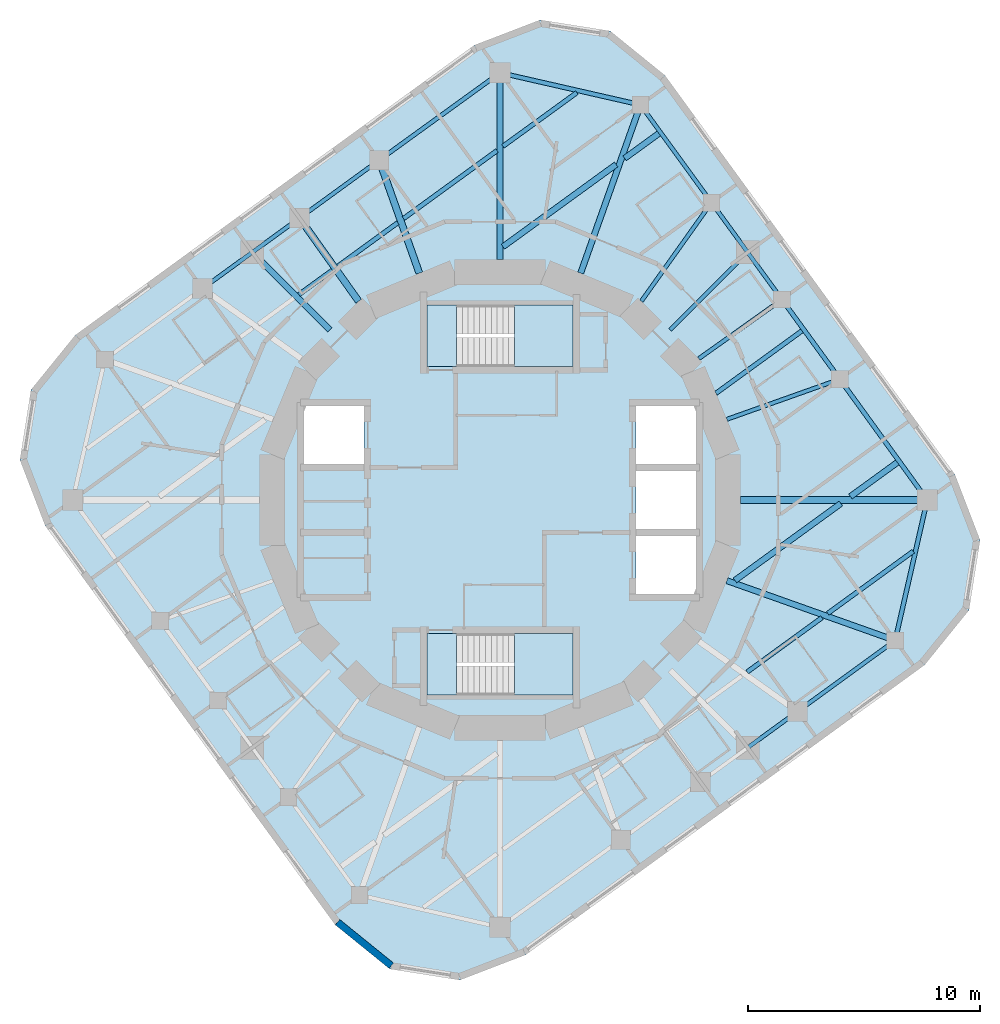
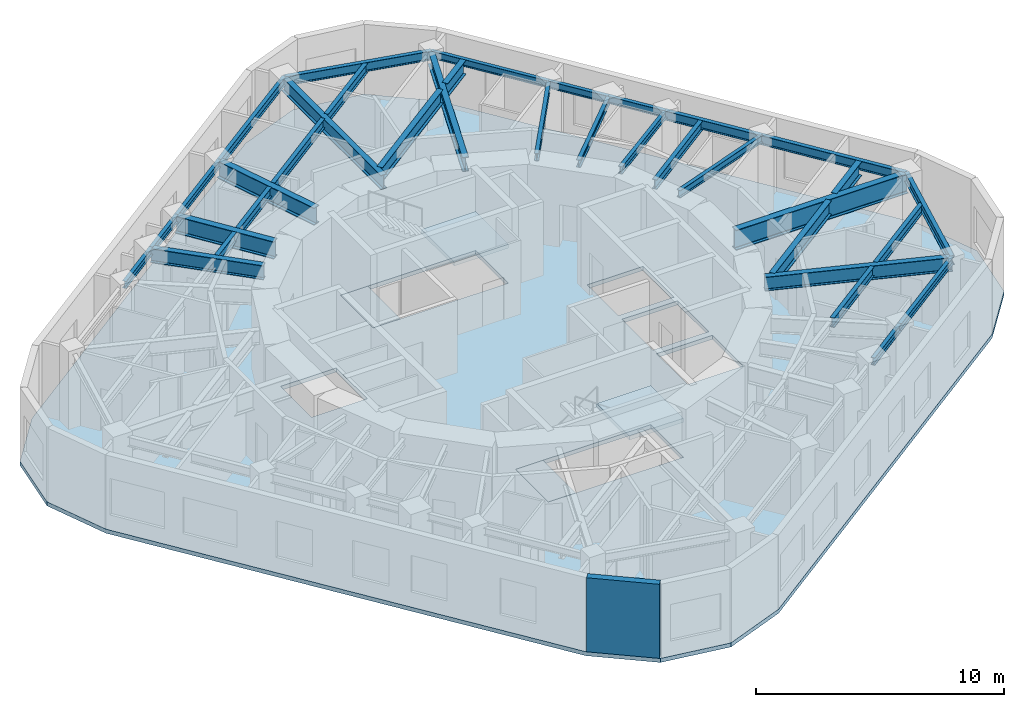
# One storey, part 2 of 9: 35 beams, 5 slabs, 1 wall, 2 elements without a shape of their own.
"""IFC4 building model written with IfcOpenShell, lengths in metres."""

from ifc_helpers import new_model, si_unit, direction, frame, frame_2d, origin, origin_2d, place, context, subcontext, project, spatial, polyline, rectangle, i_section, outline, extrude, material, layer, layer_set, material_profile, profile_set, type_object, element, aggregate, save


model = new_model("IFC4")

# Units and contexts
model_context = context("Model", 3, precision=1e-05, world=origin(), true_north=direction((0.0, 1.0)))
body_context = subcontext(model_context, "Body", "Model", "MODEL_VIEW")
ifc_project = project(units=[si_unit("LENGTHUNIT", "METRE"), si_unit("AREAUNIT", "SQUARE_METRE"), si_unit("VOLUMEUNIT", "CUBIC_METRE"), si_unit("PLANEANGLEUNIT", "RADIAN"), si_unit("MASSUNIT", "GRAM", prefix="KILO")], contexts=[model_context])

# Site, building, storey
site_placement = place(None, origin())
site = spatial("IfcSite", under=ifc_project, at=site_placement, CompositionType="ELEMENT")
building_placement = place(site_placement, origin())
building = spatial("IfcBuilding", under=site, at=building_placement, Name="Nakasero Lantern House", CompositionType="ELEMENT")
storey_placement = place(building_placement, frame((0.0, 0.0, 275.300048828125)))
storey = spatial("IfcBuildingStorey", under=building, at=storey_placement, Name="L67", CompositionType="ELEMENT", Elevation=275.300048828125)

# Beams
ifc_material_1 = material(Name="Steel S355", Category="steel")
ifc_material_profile_1 = material_profile(ifc_material_1, i_section(OverallWidth=0.19140625, OverallDepth=0.4599609375, WebThickness=0.010009765625, FlangeThickness=0.01611328125, FilletRadius=0.01025390625, at=origin_2d()), Name="UB 457x191x82")
ifc_profile_set_1 = profile_set([ifc_material_profile_1], Name="Steel S355")
beam_type_1 = type_object("IfcBeamType", Name="Infill beam UB 457x191x82", PredefinedType="JOIST", material=ifc_profile_set_1)
beam_1_placement = place(storey_placement, frame((10.646240234375, -7.406982421875, 3.419921875), z_axis=(0.809006350712, 0.587799901759, 0.0), x_axis=(-0.587799901759, 0.809006350712, 0.0)))
element("IfcBeam", 1, at=beam_1_placement, inside=storey, type_object=beam_type_1, Name="Infill beam L68 03.6", PredefinedType="JOIST", context=body_context, shape_type="SweptSolid", body=[
    extrude(i_section(OverallWidth=0.19140625, OverallDepth=0.4599609375, WebThickness=0.010009765625, FlangeThickness=0.01611328125, FilletRadius=0.01025390625, at=origin_2d()), origin(), (0.0, 0.0, 1.0), 3.983154296875),
])
beam_2_placement = place(storey_placement, frame((14.117431640625, -4.885009765625, 3.419921875), z_axis=(0.80901210161, 0.587791986546, 0.0), x_axis=(-0.587791986546, 0.80901210161, 0.0)))
element("IfcBeam", 2, at=beam_2_placement, inside=storey, type_object=beam_type_1, Name="Infill beam L68 03.7", PredefinedType="JOIST", context=body_context, shape_type="SweptSolid", body=[
    extrude(i_section(OverallWidth=0.19140625, OverallDepth=0.4599609375, WebThickness=0.010009765625, FlangeThickness=0.01611328125, FilletRadius=0.01025390625, at=origin_2d()), origin(), (0.0, 0.0, 1.0), 4.55029296875),
])
beam_3_placement = place(storey_placement, frame((9.306396484375, 4.598388671875, 3.419921875), z_axis=(0.809017640959, 0.587784362344, 0.0), x_axis=(-0.587784362344, 0.809017640959, 0.0)))
element("IfcBeam", 3, at=beam_3_placement, inside=storey, type_object=beam_type_1, Name="Infill beam L68 06.1", PredefinedType="JOIST", context=body_context, shape_type="SweptSolid", body=[
    extrude(i_section(OverallWidth=0.19140625, OverallDepth=0.4599609375, WebThickness=0.010009765625, FlangeThickness=0.01611328125, FilletRadius=0.01025390625, at=origin_2d()), origin(), (0.0, 0.0, 1.0), 4.572998046875),
])
beam_4_placement = place(storey_placement, frame((-8.665283203125, 8.84619140625, 3.419921875), z_axis=(0.809060510352, 0.587725353025, 0.0), x_axis=(-0.587725353025, 0.809060510352, 0.0)))
element("IfcBeam", 4, at=beam_4_placement, inside=storey, type_object=beam_type_1, Name="Infill beam L68 10.4", PredefinedType="JOIST", context=body_context, shape_type="SweptSolid", body=[
    extrude(i_section(OverallWidth=0.19140625, OverallDepth=0.4599609375, WebThickness=0.010009765625, FlangeThickness=0.01611328125, FilletRadius=0.01025390625, at=origin_2d()), origin(), (0.0, 0.0, 1.0), 1.7890625),
])
beam_5_placement = place(storey_placement, frame((-6.981201171875, 10.069580078125, 3.419921875), z_axis=(0.809014147131, 0.587789171167, 0.0), x_axis=(-0.587789171167, 0.809014147131, 0.0)))
element("IfcBeam", 5, at=beam_5_placement, inside=storey, type_object=beam_type_1, Name="Infill beam L68 10.5", PredefinedType="JOIST", context=body_context, shape_type="SweptSolid", body=[
    extrude(i_section(OverallWidth=0.19140625, OverallDepth=0.4599609375, WebThickness=0.010009765625, FlangeThickness=0.01611328125, FilletRadius=0.01025390625, at=origin_2d()), origin(), (0.0, 0.0, 1.0), 3.188232421875),
])
beam_6_placement = place(storey_placement, frame((-4.1552734375, 12.122802734375, 3.419921875), z_axis=(0.809018056479, 0.587783790428, 0.0), x_axis=(-0.587783790428, 0.809018056479, 0.0)))
element("IfcBeam", 6, at=beam_6_placement, inside=storey, type_object=beam_type_1, Name="Infill beam L68 10.6", PredefinedType="JOIST", context=body_context, shape_type="SweptSolid", body=[
    extrude(i_section(OverallWidth=0.19140625, OverallDepth=0.4599609375, WebThickness=0.010009765625, FlangeThickness=0.01611328125, FilletRadius=0.01025390625, at=origin_2d()), origin(), (0.0, 0.0, 1.0), 4.97802734375),
])
beam_7_placement = place(storey_placement, frame((0.1279296875, 15.23486328125, 3.419921875), z_axis=(0.809028442836, 0.587769494515, 0.0), x_axis=(-0.587769494515, 0.809028442836, 0.0)))
element("IfcBeam", 7, at=beam_7_placement, inside=storey, type_object=beam_type_1, Name="Infill beam L68 10.7", PredefinedType="JOIST", context=body_context, shape_type="SweptSolid", body=[
    extrude(i_section(OverallWidth=0.19140625, OverallDepth=0.4599609375, WebThickness=0.010009765625, FlangeThickness=0.01611328125, FilletRadius=0.01025390625, at=origin_2d()), origin(), (0.0, 0.0, 1.0), 3.934814453125),
])
ifc_material_2 = material(Name="Steel S355", Category="steel")
ifc_material_profile_2 = material_profile(ifc_material_2, i_section(OverallWidth=0.255859375, OverallDepth=0.69287109375, WebThickness=0.014404296875, FlangeThickness=0.023681640625, FilletRadius=0.01513671875, at=origin_2d()), Name="UB 686x254x170")
ifc_profile_set_2 = profile_set([ifc_material_profile_2], Name="Steel S355")
beam_type_2 = type_object("IfcBeamType", Name="Infill beam UB 686x254x170", PredefinedType="JOIST", material=ifc_profile_set_2)
beam_8_placement = place(storey_placement, frame((10.119384765625, -3.46337890625, 3.303466796875), z_axis=(0.809013172462, 0.587790512669, 0.0), x_axis=(-0.587790512669, 0.809013172462, 0.0)))
element("IfcBeam", 8, at=beam_8_placement, inside=storey, type_object=beam_type_2, Name="Infill beam L68 04.3", PredefinedType="JOIST", context=body_context, shape_type="SweptSolid", body=[
    extrude(i_section(OverallWidth=0.255859375, OverallDepth=0.69287109375, WebThickness=0.014404296875, FlangeThickness=0.023681640625, FilletRadius=0.01513671875, at=origin_2d()), origin(), (0.0, 0.0, 1.0), 5.63720703125),
])
beam_9_placement = place(storey_placement, frame((15.0927734375, 0.14990234375, 3.303466796875), z_axis=(0.809015124384, 0.587787826106, 0.0), x_axis=(-0.587787826106, 0.809015124384, 0.0)))
element("IfcBeam", 9, at=beam_9_placement, inside=storey, type_object=beam_type_2, Name="Infill beam L68 04.4", PredefinedType="JOIST", context=body_context, shape_type="SweptSolid", body=[
    extrude(i_section(OverallWidth=0.255859375, OverallDepth=0.69287109375, WebThickness=0.014404296875, FlangeThickness=0.023681640625, FilletRadius=0.01513671875, at=origin_2d()), origin(), (0.0, 0.0, 1.0), 2.496337890625),
])
beam_10_placement = place(storey_placement, frame((0.1279296875, 10.908447265625, 3.303466796875), z_axis=(0.809011117524, 0.587793340998, 0.0), x_axis=(-0.587793340998, 0.809011117524, 0.0)))
element("IfcBeam", 10, at=beam_10_placement, inside=storey, type_object=beam_type_2, Name="Infill beam L68 09.3", PredefinedType="JOIST", context=body_context, shape_type="SweptSolid", body=[
    extrude(i_section(OverallWidth=0.255859375, OverallDepth=0.69287109375, WebThickness=0.014404296875, FlangeThickness=0.023681640625, FilletRadius=0.01513671875, at=origin_2d()), origin(), (0.0, 0.0, 1.0), 6.024658203125),
])
beam_11_placement = place(storey_placement, frame((5.367919921875, 14.715576171875, 3.303466796875), z_axis=(0.809025740158, 0.587773214566, 0.0), x_axis=(-0.587773214566, 0.809025740158, 0.0)))
element("IfcBeam", 11, at=beam_11_placement, inside=storey, type_object=beam_type_2, Name="Infill beam L68 09.4", PredefinedType="JOIST", context=body_context, shape_type="SweptSolid", body=[
    extrude(i_section(OverallWidth=0.255859375, OverallDepth=0.69287109375, WebThickness=0.014404296875, FlangeThickness=0.023681640625, FilletRadius=0.01513671875, at=origin_2d()), origin(), (0.0, 0.0, 1.0), 1.82177734375),
])
ifc_material_3 = material(Name="Steel S355", Category="steel")
ifc_material_profile_3 = material_profile(ifc_material_3, i_section(OverallWidth=0.300048828125, OverallDepth=0.97998046875, WebThickness=0.0166015625, FlangeThickness=0.02587890625, FilletRadius=0.030029296875, at=origin_2d()), Name="UB 1016x305x249")
ifc_profile_set_3 = profile_set([ifc_material_profile_3], Name="Steel S355")
beam_type_3 = type_object("IfcBeamType", Name="Primary beam UB 1016x305x249, span 6 to 9 m", PredefinedType="BEAM", material=ifc_profile_set_3)
beam_12_placement = place(storey_placement, frame((18.39990234375, 0.0, 3.159912109375), z_axis=(-1.0, 0.0, 0.0), x_axis=(0.0, -1.0, 0.0)))
element("IfcBeam", 12, at=beam_12_placement, inside=storey, type_object=beam_type_3, Name="Primary beam L68 B7-C03", PredefinedType="BEAM", context=body_context, shape_type="SweptSolid", body=[
    extrude(i_section(OverallWidth=0.300048828125, OverallDepth=0.97998046875, WebThickness=0.0166015625, FlangeThickness=0.02587890625, FilletRadius=0.030029296875, at=origin_2d()), origin(), (0.0, 0.0, 1.0), 8.0419921875),
])
ifc_material_4 = material(Name="Steel S355", Category="steel")
ifc_material_profile_4 = material_profile(ifc_material_4, i_section(OverallWidth=0.17138671875, OverallDepth=0.35498046875, WebThickness=0.00732421875, FlangeThickness=0.011474609375, FilletRadius=0.01025390625, at=origin_2d()), Name="UB 356x171x51")
ifc_profile_set_4 = profile_set([ifc_material_profile_4], Name="Steel S355")
beam_type_4 = type_object("IfcBeamType", Name="Primary beam UB 356x171x51, span to 6 m", PredefinedType="BEAM", material=ifc_profile_set_4)
beam_13_placement = place(storey_placement, frame((14.636474609375, 5.2041015625, 3.472412109375), z_axis=(-0.942221324153, -0.3349910093, 0.0), x_axis=(0.3349910093, -0.942221324153, 0.0)))
element("IfcBeam", 13, at=beam_13_placement, inside=storey, type_object=beam_type_4, Name="Primary beam L68 B7-C04", PredefinedType="BEAM", context=body_context, shape_type="SweptSolid", body=[
    extrude(i_section(OverallWidth=0.17138671875, OverallDepth=0.35498046875, WebThickness=0.00732421875, FlangeThickness=0.011474609375, FilletRadius=0.01025390625, at=origin_2d()), origin(), (0.0, 0.0, 1.0), 5.162841796875),
])
beam_14_placement = place(storey_placement, frame((12.1435546875, 8.63525390625, 3.472412109375), z_axis=(-0.814988544116, -0.579477068537, 0.0), x_axis=(0.579477068537, -0.814988544116, 0.0)))
element("IfcBeam", 14, at=beam_14_placement, inside=storey, type_object=beam_type_4, Name="Primary beam L68 B7-C05", PredefinedType="BEAM", context=body_context, shape_type="SweptSolid", body=[
    extrude(i_section(OverallWidth=0.17138671875, OverallDepth=0.35498046875, WebThickness=0.00732421875, FlangeThickness=0.011474609375, FilletRadius=0.01025390625, at=origin_2d()), origin(), (0.0, 0.0, 1.0), 4.396484375),
])
beam_15_placement = place(storey_placement, frame((10.667236328125, 10.667236328125, 3.472412109375), z_axis=(-0.707106781187, -0.707106781187, 0.0), x_axis=(0.707106781187, -0.707106781187, 0.0)))
element("IfcBeam", 15, at=beam_15_placement, inside=storey, type_object=beam_type_4, Name="Primary beam L68 B7-C06", PredefinedType="BEAM", context=body_context, shape_type="SweptSolid", body=[
    extrude(i_section(OverallWidth=0.17138671875, OverallDepth=0.35498046875, WebThickness=0.00732421875, FlangeThickness=0.011474609375, FilletRadius=0.01025390625, at=origin_2d()), origin(), (0.0, 0.0, 1.0), 4.727783203125),
])
beam_16_placement = place(storey_placement, frame((9.10986328125, 12.810791015625, 3.472412109375), z_axis=(-0.579500985986, -0.814971537688, 0.0), x_axis=(0.814971537688, -0.579500985986, 0.0)))
element("IfcBeam", 16, at=beam_16_placement, inside=storey, type_object=beam_type_4, Name="Primary beam L68 B7-C07", PredefinedType="BEAM", context=body_context, shape_type="SweptSolid", body=[
    extrude(i_section(OverallWidth=0.17138671875, OverallDepth=0.35498046875, WebThickness=0.00732421875, FlangeThickness=0.011474609375, FilletRadius=0.01025390625, at=origin_2d()), origin(), (0.0, 0.0, 1.0), 5.215087890625),
])
ifc_material_5 = material(Name="Steel S355", Category="steel")
ifc_material_profile_5 = material_profile(ifc_material_5, i_section(OverallWidth=0.253662109375, OverallDepth=0.68359375, WebThickness=0.012451171875, FlangeThickness=0.01904296875, FilletRadius=0.01513671875, at=origin_2d()), Name="UB 686x254x140")
ifc_profile_set_5 = profile_set([ifc_material_profile_5], Name="Steel S355")
beam_type_5 = type_object("IfcBeamType", Name="Primary beam UB 686x254x140, span 6 to 9 m", PredefinedType="BEAM", material=ifc_profile_set_5)
beam_17_placement = place(storey_placement, frame((17.02001953125, -6.051513671875, 3.30810546875), z_axis=(-0.942222036561, 0.334989005521, 0.0), x_axis=(-0.334989005521, -0.942222036561, 0.0)))
element("IfcBeam", 17, at=beam_17_placement, inside=storey, type_object=beam_type_5, Name="Primary beam L68 B7-C02", PredefinedType="BEAM", context=body_context, shape_type="SweptSolid", body=[
    extrude(i_section(OverallWidth=0.253662109375, OverallDepth=0.68359375, WebThickness=0.012451171875, FlangeThickness=0.01904296875, FilletRadius=0.01513671875, at=origin_2d()), origin(), (0.0, 0.0, 1.0), 7.6923828125),
])
ifc_material_6 = material(Name="Steel S355", Category="steel")
ifc_material_profile_6 = material_profile(ifc_material_6, i_section(OverallWidth=0.255859375, OverallDepth=0.69287109375, WebThickness=0.014404296875, FlangeThickness=0.023681640625, FilletRadius=0.01513671875, at=origin_2d()), Name="UB 686x254x170")
ifc_profile_set_6 = profile_set([ifc_material_profile_6], Name="Steel S355")
beam_type_6 = type_object("IfcBeamType", Name="Primary beam UB 686x254x170, span 6 to 9 m", PredefinedType="BEAM", material=ifc_profile_set_6)
beam_18_placement = place(storey_placement, frame((6.051513671875, 17.02001953125, 3.303466796875), z_axis=(-0.334989005521, -0.942222036561, 0.0), x_axis=(0.942222036561, -0.334989005521, 0.0)))
element("IfcBeam", 18, at=beam_18_placement, inside=storey, type_object=beam_type_6, Name="Primary beam L68 B7-C08", PredefinedType="BEAM", context=body_context, shape_type="SweptSolid", body=[
    extrude(i_section(OverallWidth=0.255859375, OverallDepth=0.69287109375, WebThickness=0.014404296875, FlangeThickness=0.023681640625, FilletRadius=0.01513671875, at=origin_2d()), origin(), (0.0, 0.0, 1.0), 7.6923828125),
])
beam_19_placement = place(storey_placement, frame((0.0, 18.39990234375, 3.303466796875), z_axis=(0.0, -1.0, 0.0), x_axis=(1.0, 0.0, 0.0)))
element("IfcBeam", 19, at=beam_19_placement, inside=storey, type_object=beam_type_6, Name="Primary beam L68 B7-C09", PredefinedType="BEAM", context=body_context, shape_type="SweptSolid", body=[
    extrude(i_section(OverallWidth=0.255859375, OverallDepth=0.69287109375, WebThickness=0.014404296875, FlangeThickness=0.023681640625, FilletRadius=0.01513671875, at=origin_2d()), origin(), (0.0, 0.0, 1.0), 8.0419921875),
])
ifc_material_7 = material(Name="Steel S355", Category="steel")
ifc_material_profile_7 = material_profile(ifc_material_7, i_section(OverallWidth=0.255859375, OverallDepth=0.69287109375, WebThickness=0.014404296875, FlangeThickness=0.023681640625, FilletRadius=0.01513671875, at=origin_2d()), Name="UB 686x254x170")
ifc_profile_set_7 = profile_set([ifc_material_profile_7], Name="Steel S355")
beam_type_7 = type_object("IfcBeamType", Name="Primary beam UB 686x254x170, span to 6 m", PredefinedType="BEAM", material=ifc_profile_set_7)
beam_20_placement = place(storey_placement, frame((-10.667236328125, 10.667236328125, 3.303466796875), z_axis=(0.707106781187, -0.707106781187, 0.0), x_axis=(0.707106781187, 0.707106781187, 0.0)))
element("IfcBeam", 20, at=beam_20_placement, inside=storey, type_object=beam_type_7, Name="Primary beam L68 B7-C12", PredefinedType="BEAM", context=body_context, shape_type="SweptSolid", body=[
    extrude(i_section(OverallWidth=0.255859375, OverallDepth=0.69287109375, WebThickness=0.014404296875, FlangeThickness=0.023681640625, FilletRadius=0.01513671875, at=origin_2d()), origin(), (0.0, 0.0, 1.0), 4.727783203125),
])
ifc_material_8 = material(Name="Steel S355", Category="steel")
ifc_material_profile_8 = material_profile(ifc_material_8, i_section(OverallWidth=0.29248046875, OverallDepth=0.8408203125, WebThickness=0.0146484375, FlangeThickness=0.02685546875, FilletRadius=0.017822265625, at=origin_2d()), Name="UB 838x292x194")
ifc_profile_set_8 = profile_set([ifc_material_profile_8], Name="Steel S355")
beam_type_8 = type_object("IfcBeamType", Name="Primary beam UB 838x292x194, span to 6 m", PredefinedType="BEAM", material=ifc_profile_set_8)
beam_21_placement = place(storey_placement, frame((-5.2041015625, 14.636474609375, 3.2294921875), z_axis=(0.3349910093, -0.942221324153, 0.0), x_axis=(0.942221324153, 0.3349910093, 0.0)))
element("IfcBeam", 21, at=beam_21_placement, inside=storey, type_object=beam_type_8, Name="Primary beam L68 B7-C10", PredefinedType="BEAM", context=body_context, shape_type="SweptSolid", body=[
    extrude(i_section(OverallWidth=0.29248046875, OverallDepth=0.8408203125, WebThickness=0.0146484375, FlangeThickness=0.02685546875, FilletRadius=0.017822265625, at=origin_2d()), origin(), (0.0, 0.0, 1.0), 5.162841796875),
])
beam_22_placement = place(storey_placement, frame((-8.63525390625, 12.1435546875, 3.2294921875), z_axis=(0.579477068537, -0.814988544116, 0.0), x_axis=(0.814988544116, 0.579477068537, 0.0)))
element("IfcBeam", 22, at=beam_22_placement, inside=storey, type_object=beam_type_8, Name="Primary beam L68 B7-C11", PredefinedType="BEAM", context=body_context, shape_type="SweptSolid", body=[
    extrude(i_section(OverallWidth=0.29248046875, OverallDepth=0.8408203125, WebThickness=0.0146484375, FlangeThickness=0.02685546875, FilletRadius=0.017822265625, at=origin_2d()), origin(), (0.0, 0.0, 1.0), 4.396484375),
])
ifc_material_9 = material(Name="Steel S355", Category="steel")
ifc_material_profile_9 = material_profile(ifc_material_9, i_section(OverallWidth=0.17138671875, OverallDepth=0.35498046875, WebThickness=0.00732421875, FlangeThickness=0.011474609375, FilletRadius=0.01025390625, at=origin_2d()), Name="UB 356x171x51")
ifc_profile_set_9 = profile_set([ifc_material_profile_9], Name="Steel S355")
beam_type_9 = type_object("IfcBeamType", Name="Ring beam UB 356x171x51", PredefinedType="BEAM", material=ifc_profile_set_9)
beam_23_placement = place(storey_placement, frame((12.810791015625, -9.10986328125, 3.472412109375), z_axis=(0.809001814948, 0.587806144414, 0.0), x_axis=(-0.587806144414, 0.809001814948, 0.0)))
element("IfcBeam", 23, at=beam_23_placement, inside=storey, type_object=beam_type_9, Name="Ring beam L68 B7-C01", PredefinedType="BEAM", context=body_context, shape_type="SweptSolid", body=[
    extrude(i_section(OverallWidth=0.17138671875, OverallDepth=0.35498046875, WebThickness=0.00732421875, FlangeThickness=0.011474609375, FilletRadius=0.01025390625, at=origin_2d()), origin(), (0.0, 0.0, 1.0), 5.202880859375),
])
beam_24_placement = place(storey_placement, frame((12.1435546875, 8.63525390625, 3.472412109375), z_axis=(-0.58778439593, 0.809017616558, 0.0), x_axis=(-0.809017616558, -0.58778439593, 0.0)))
element("IfcBeam", 24, at=beam_24_placement, inside=storey, type_object=beam_type_9, Name="Ring beam L68 B7-C05", PredefinedType="BEAM", context=body_context, shape_type="SweptSolid", body=[
    extrude(i_section(OverallWidth=0.17138671875, OverallDepth=0.35498046875, WebThickness=0.00732421875, FlangeThickness=0.011474609375, FilletRadius=0.01025390625, at=origin_2d()), origin(), (0.0, 0.0, 1.0), 2.51171875),
])
beam_25_placement = place(storey_placement, frame((10.667236328125, 10.667236328125, 3.472412109375), z_axis=(-0.587782635143, 0.809018895839, 0.0), x_axis=(-0.809018895839, -0.587782635143, 0.0)))
element("IfcBeam", 25, at=beam_25_placement, inside=storey, type_object=beam_type_9, Name="Ring beam L68 B7-C06", PredefinedType="BEAM", context=body_context, shape_type="SweptSolid", body=[
    extrude(i_section(OverallWidth=0.17138671875, OverallDepth=0.35498046875, WebThickness=0.00732421875, FlangeThickness=0.011474609375, FilletRadius=0.01025390625, at=origin_2d()), origin(), (0.0, 0.0, 1.0), 2.649658203125),
])
beam_26_placement = place(storey_placement, frame((9.10986328125, 12.810791015625, 3.472412109375), z_axis=(-0.587806144414, 0.809001814948, 0.0), x_axis=(-0.809001814948, -0.587806144414, 0.0)))
element("IfcBeam", 26, at=beam_26_placement, inside=storey, type_object=beam_type_9, Name="Ring beam L68 B7-C07", PredefinedType="BEAM", context=body_context, shape_type="SweptSolid", body=[
    extrude(i_section(OverallWidth=0.17138671875, OverallDepth=0.35498046875, WebThickness=0.00732421875, FlangeThickness=0.011474609375, FilletRadius=0.01025390625, at=origin_2d()), origin(), (0.0, 0.0, 1.0), 5.202880859375),
])
beam_27_placement = place(storey_placement, frame((-5.2041015625, 14.636474609375, 3.472412109375), z_axis=(-0.809012304944, -0.587791706687, 0.0), x_axis=(0.587791706687, -0.809012304944, 0.0)))
element("IfcBeam", 27, at=beam_27_placement, inside=storey, type_object=beam_type_9, Name="Ring beam L68 B7-C10", PredefinedType="BEAM", context=body_context, shape_type="SweptSolid", body=[
    extrude(i_section(OverallWidth=0.17138671875, OverallDepth=0.35498046875, WebThickness=0.00732421875, FlangeThickness=0.011474609375, FilletRadius=0.01025390625, at=origin_2d()), origin(), (0.0, 0.0, 1.0), 4.2412109375),
])
beam_28_placement = place(storey_placement, frame((-8.63525390625, 12.1435546875, 3.472412109375), z_axis=(-0.809017616558, -0.58778439593, 0.0), x_axis=(0.58778439593, -0.809017616558, 0.0)))
element("IfcBeam", 28, at=beam_28_placement, inside=storey, type_object=beam_type_9, Name="Ring beam L68 B7-C11", PredefinedType="BEAM", context=body_context, shape_type="SweptSolid", body=[
    extrude(i_section(OverallWidth=0.17138671875, OverallDepth=0.35498046875, WebThickness=0.00732421875, FlangeThickness=0.011474609375, FilletRadius=0.01025390625, at=origin_2d()), origin(), (0.0, 0.0, 1.0), 2.51171875),
])
for number, where, z_axis, x_axis, name in (
    (29, (-10.667236328125, 10.667236328125, 3.472412109375), (-0.809018895839, -0.587782635143, 0.0), (0.587782635143, -0.809018895839, 0.0), "Ring beam L68 B7-C12"),
    (30, (10.667236328125, -10.667236328125, 3.472412109375), (0.809018895839, 0.587782635143, 0.0), (-0.587782635143, 0.809018895839, 0.0), "Ring beam L68 B7-C24"),
):
    element("IfcBeam", number, at=place(storey_placement, frame(where, z_axis=z_axis, x_axis=x_axis)), inside=storey, type_object=beam_type_9, Name=name, PredefinedType="BEAM", context=body_context, shape_type="SweptSolid", body=[
        extrude(i_section(OverallWidth=0.17138671875, OverallDepth=0.35498046875, WebThickness=0.00732421875, FlangeThickness=0.011474609375, FilletRadius=0.01025390625, at=origin_2d()), origin(), (0.0, 0.0, 1.0), 2.649658203125),
    ])
ifc_material_10 = material(Name="Steel S355", Category="steel")
ifc_material_profile_10 = material_profile(ifc_material_10, i_section(OverallWidth=0.177978515625, OverallDepth=0.406494140625, WebThickness=0.0078125, FlangeThickness=0.0126953125, FilletRadius=0.01025390625, at=origin_2d()), Name="UB 406x178x60")
ifc_profile_set_10 = profile_set([ifc_material_profile_10], Name="Steel S355")
beam_type_10 = type_object("IfcBeamType", Name="Ring beam UB 406x178x60", PredefinedType="BEAM", material=ifc_profile_set_10)
beam_29_placement = place(storey_placement, frame((0.0, 18.39990234375, 3.44677734375), z_axis=(-0.810316200404, -0.58599287996, 0.0), x_axis=(0.58599287996, -0.810316200404, 0.0)))
element("IfcBeam", 31, at=beam_29_placement, inside=storey, type_object=beam_type_10, Name="Ring beam L68 B7-C09", PredefinedType="BEAM", context=body_context, shape_type="SweptSolid", body=[
    extrude(i_section(OverallWidth=0.177978515625, OverallDepth=0.406494140625, WebThickness=0.0078125, FlangeThickness=0.0126953125, FilletRadius=0.01025390625, at=origin_2d()), origin(), (0.0, 0.0, 1.0), 6.42236328125),
])
ifc_material_11 = material(Name="Steel S355", Category="steel")
ifc_material_profile_11 = material_profile(ifc_material_11, i_section(OverallWidth=0.18994140625, OverallDepth=0.453369140625, WebThickness=0.008544921875, FlangeThickness=0.0126953125, FilletRadius=0.01025390625, at=origin_2d()), Name="UB 457x191x67")
ifc_profile_set_11 = profile_set([ifc_material_profile_11], Name="Steel S355")
beam_type_11 = type_object("IfcBeamType", Name="Ring beam UB 457x191x67", PredefinedType="BEAM", material=ifc_profile_set_11)
beam_30_placement = place(storey_placement, frame((17.02001953125, -6.051513671875, 3.42333984375), z_axis=(0.222316387753, 0.974974575944, 0.0), x_axis=(-0.974974575944, 0.222316387753, 0.0)))
element("IfcBeam", 32, at=beam_30_placement, inside=storey, type_object=beam_type_11, Name="Ring beam L68 B7-C02", PredefinedType="BEAM", context=body_context, shape_type="SweptSolid", body=[
    extrude(i_section(OverallWidth=0.18994140625, OverallDepth=0.453369140625, WebThickness=0.008544921875, FlangeThickness=0.0126953125, FilletRadius=0.01025390625, at=origin_2d()), origin(), (0.0, 0.0, 1.0), 6.206787109375),
])
beam_31_placement = place(storey_placement, frame((14.636474609375, 5.2041015625, 3.42333984375), z_axis=(-0.587791706687, 0.809012304944, 0.0), x_axis=(-0.809012304944, -0.587791706687, 0.0)))
element("IfcBeam", 33, at=beam_31_placement, inside=storey, type_object=beam_type_11, Name="Ring beam L68 B7-C04", PredefinedType="BEAM", context=body_context, shape_type="SweptSolid", body=[
    extrude(i_section(OverallWidth=0.18994140625, OverallDepth=0.453369140625, WebThickness=0.008544921875, FlangeThickness=0.0126953125, FilletRadius=0.01025390625, at=origin_2d()), origin(), (0.0, 0.0, 1.0), 4.2412109375),
])
beam_32_placement = place(storey_placement, frame((6.051513671875, 17.02001953125, 3.42333984375), z_axis=(-0.974974575944, 0.222316387753, 0.0), x_axis=(-0.222316387753, -0.974974575944, 0.0)))
element("IfcBeam", 34, at=beam_32_placement, inside=storey, type_object=beam_type_11, Name="Ring beam L68 B7-C08", PredefinedType="BEAM", context=body_context, shape_type="SweptSolid", body=[
    extrude(i_section(OverallWidth=0.18994140625, OverallDepth=0.453369140625, WebThickness=0.008544921875, FlangeThickness=0.0126953125, FilletRadius=0.01025390625, at=origin_2d()), origin(), (0.0, 0.0, 1.0), 6.206787109375),
])
ifc_material_12 = material(Name="Steel S355", Category="steel")
ifc_material_profile_12 = material_profile(ifc_material_12, i_section(OverallWidth=0.19140625, OverallDepth=0.4599609375, WebThickness=0.010009765625, FlangeThickness=0.01611328125, FilletRadius=0.01025390625, at=origin_2d()), Name="UB 457x191x82")
ifc_profile_set_12 = profile_set([ifc_material_profile_12], Name="Steel S355")
beam_type_12 = type_object("IfcBeamType", Name="Ring beam UB 457x191x82", PredefinedType="BEAM", material=ifc_profile_set_12)
beam_33_placement = place(storey_placement, frame((18.39990234375, 0.0, 3.419921875), z_axis=(-0.58599287996, 0.810316200404, 0.0), x_axis=(-0.810316200404, -0.58599287996, 0.0)))
element("IfcBeam", 35, at=beam_33_placement, inside=storey, type_object=beam_type_12, Name="Ring beam L68 B7-C03", PredefinedType="BEAM", context=body_context, shape_type="SweptSolid", body=[
    extrude(i_section(OverallWidth=0.19140625, OverallDepth=0.4599609375, WebThickness=0.010009765625, FlangeThickness=0.01611328125, FilletRadius=0.01025390625, at=origin_2d()), origin(), (0.0, 0.0, 1.0), 6.42236328125),
])

# Slab
ifc_material_13 = material(Name="Concrete C35/45", Category="concrete")
ifc_layer_1 = layer(ifc_material_13, 0.199951171875)
ifc_layer_set_1 = layer_set([ifc_layer_1], Name="Composite floor slab 200")
slab_type_1 = type_object("IfcSlabType", Name="Composite floor slab 200", PredefinedType="FLOOR", material=ifc_layer_set_1)
slab_1_placement = place(storey_placement, frame((0.0, 0.0, -0.199951171875)))
element("IfcSlab", 36, at=slab_1_placement, inside=storey, type_object=slab_type_1, Name="Floor slab L67", PredefinedType="FLOOR", context=body_context, shape_type="SweptSolid", body=[
    extrude(outline(polyline([(7.1181640625, 18.27392578125), (4.744873046875, 20.196044921875), (1.728271484375, 20.673828125), (-1.122802734375, 19.579345703125), (-18.27392578125, 7.1181640625), (-20.196044921875, 4.744873046875), (-20.673828125, 1.728271484375), (-19.579345703125, -1.122802734375), (-7.1181640625, -18.27392578125), (-4.744873046875, -20.196044921875), (-1.728271484375, -20.673828125), (1.122802734375, -19.579345703125), (18.27392578125, -7.1181640625), (20.196044921875, -4.744873046875), (20.673828125, -1.728271484375), (19.579345703125, 1.122802734375), (7.1181640625, 18.27392578125)]), holes=[polyline([(-8.449951171875, 1.550048828125), (-5.85009765625, 1.550048828125), (-5.85009765625, 4.050048828125), (-8.449951171875, 4.050048828125), (-8.449951171875, 1.550048828125)]), polyline([(5.85009765625, -4.050048828125), (8.449951171875, -4.050048828125), (8.449951171875, -1.550048828125), (5.85009765625, -1.550048828125), (5.85009765625, -4.050048828125)]), polyline([(5.85009765625, -1.25), (8.449951171875, -1.25), (8.449951171875, 1.25), (5.85009765625, 1.25), (5.85009765625, -1.25)]), polyline([(5.85009765625, 1.550048828125), (8.449951171875, 1.550048828125), (8.449951171875, 4.050048828125), (5.85009765625, 4.050048828125), (5.85009765625, 1.550048828125)]), polyline([(-3.14990234375, 5.75), (3.14990234375, 5.75), (3.14990234375, 8.39990234375), (-3.14990234375, 8.39990234375), (-3.14990234375, 5.75)]), polyline([(-3.14990234375, -8.39990234375), (3.14990234375, -8.39990234375), (3.14990234375, -5.75), (-3.14990234375, -5.75), (-3.14990234375, -8.39990234375)])]), origin(), (0.0, 0.0, 1.0), 0.199951171875),
])

# Stair, slabs
ifc_material_14 = material(Name="Concrete C40/50", Category="concrete")
stair_type_1 = type_object("IfcStairType", Name="Escape stair ST1 22 risers", PredefinedType="HALF_TURN_STAIR", material=ifc_material_14)
stair_1_placement = place(storey_placement, origin())
stair_1 = element("IfcStair", 37, at=stair_1_placement, inside=storey, type_object=stair_type_1, Name="Escape stair ST1 L67", PredefinedType="HALF_TURN_STAIR")
ifc_material_15 = material(Name="Concrete C40/50", Category="concrete")
ifc_layer_2 = layer(ifc_material_15, 0.199951171875)
ifc_layer_set_2 = layer_set([ifc_layer_2], Name="Stair landing 200")
slab_type_2 = type_object("IfcSlabType", Name="Stair landing 200", PredefinedType="LANDING", material=ifc_layer_set_2)
slab_2_placement = place(storey_placement, frame((0.0, 0.0, -0.199951171875)))
slab_2 = element("IfcSlab", 38, at=slab_2_placement, type_object=slab_type_2, Name="ST1 landing 1", PredefinedType="LANDING", context=body_context, shape_type="SweptSolid", body=[
    extrude(outline(polyline([(-3.14990234375, 5.75), (-1.875, 5.75), (-1.875, 8.39990234375), (-3.14990234375, 8.39990234375), (-3.14990234375, 5.75)])), origin(), (0.0, 0.0, 1.0), 0.199951171875),
])
slab_3_placement = place(storey_placement, frame((0.0, 0.0, 1.724853515625)))
slab_3 = element("IfcSlab", 39, at=slab_3_placement, type_object=slab_type_2, Name="ST1 landing 2", PredefinedType="LANDING", context=body_context, shape_type="SweptSolid", body=[
    extrude(outline(polyline([(0.625, 5.75), (3.14990234375, 5.75), (3.14990234375, 8.39990234375), (0.625, 8.39990234375), (0.625, 5.75)])), origin(), (0.0, 0.0, 1.0), 0.2001953125),
])
aggregate(stair_1, [slab_2, slab_3])

ifc_material_16 = material(Name="Concrete C40/50", Category="concrete")
stair_type_2 = type_object("IfcStairType", Name="Escape stair ST2 22 risers", PredefinedType="HALF_TURN_STAIR", material=ifc_material_16)
stair_2_placement = place(storey_placement, origin())
stair_2 = element("IfcStair", 40, at=stair_2_placement, inside=storey, type_object=stair_type_2, Name="Escape stair ST2 L67", PredefinedType="HALF_TURN_STAIR")
slab_4_placement = place(storey_placement, frame((0.0, 0.0, -0.199951171875)))
slab_4 = element("IfcSlab", 41, at=slab_4_placement, type_object=slab_type_2, Name="ST2 landing 1", PredefinedType="LANDING", context=body_context, shape_type="SweptSolid", body=[
    extrude(outline(polyline([(-3.14990234375, -8.39990234375), (-1.875, -8.39990234375), (-1.875, -5.75), (-3.14990234375, -5.75), (-3.14990234375, -8.39990234375)])), origin(), (0.0, 0.0, 1.0), 0.199951171875),
])
slab_5_placement = place(storey_placement, frame((0.0, 0.0, 1.724853515625)))
slab_5 = element("IfcSlab", 42, at=slab_5_placement, type_object=slab_type_2, Name="ST2 landing 2", PredefinedType="LANDING", context=body_context, shape_type="SweptSolid", body=[
    extrude(outline(polyline([(0.625, -8.39990234375), (3.14990234375, -8.39990234375), (3.14990234375, -5.75), (0.625, -5.75), (0.625, -8.39990234375)])), origin(), (0.0, 0.0, 1.0), 0.2001953125),
])
aggregate(stair_2, [slab_4, slab_5])

# Wall
ifc_material_17 = material(Name="Aluminium rainscreen on blockwork", Category="masonry")
ifc_layer_3 = layer(ifc_material_17, 0.300048828125)
ifc_layer_set_3 = layer_set([ifc_layer_3], Name="Facade wall 300")
wall_type = type_object("IfcWallType", Name="Facade wall 300", PredefinedType="SOLIDWALL", material=ifc_layer_set_3)
wall_placement = place(storey_placement, frame((-6.996826171875, -18.185791015625, 0.0), z_axis=(0.0, 0.0, 1.0), x_axis=(0.777101588319, -0.629375183362, 0.0)))
element("IfcWall", 43, at=wall_placement, inside=storey, type_object=wall_type, Name="Facade wall L67 FW2C1", PredefinedType="SOLIDWALL", context=body_context, shape_type="SweptSolid", body=[
    extrude(rectangle(XDim=2.976318359375, YDim=0.300048828125, at=frame_2d((1.48828125, 0.0))), origin(), (0.0, 0.0, 1.0), 3.64990234375),
])

save(model, "model.ifc")
